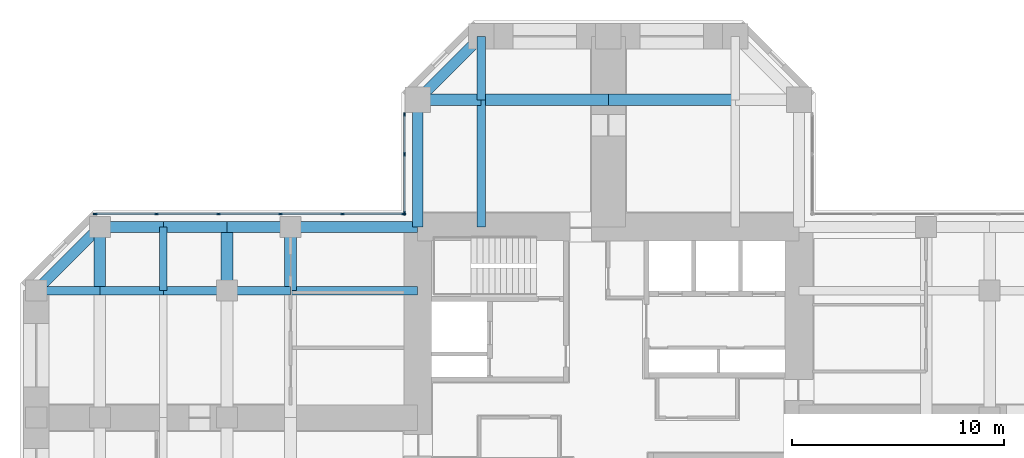
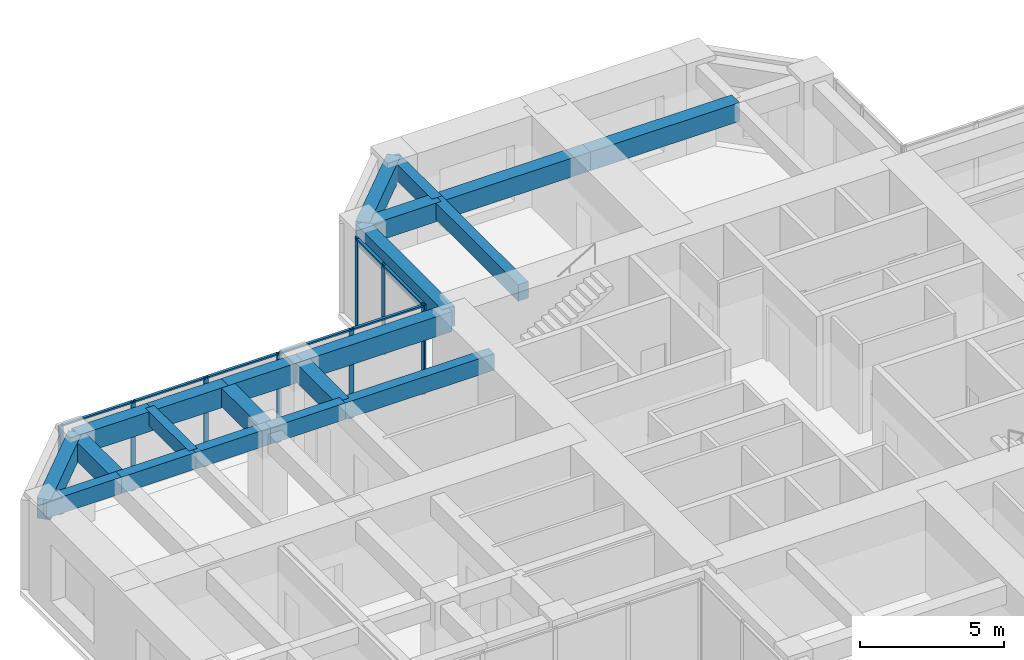
# One storey, part 5 of 12: 21 beams, 16 members, 2 elements without a shape of their own.
"""IFC4 building model written with IfcOpenShell, lengths in metres."""

from ifc_helpers import new_model, si_unit, direction, frame, origin, origin_2d, place, context, subcontext, project, spatial, rectangle, extrude, material, material_profile, profile_set, type_object, element, aggregate, save


model = new_model("IFC4")

# Units and contexts
model_context = context("Model", 3, precision=1e-05, world=origin(), true_north=direction((0.0, 1.0)))
body_context = subcontext(model_context, "Body", "Model", "MODEL_VIEW")
ifc_project = project(units=[si_unit("LENGTHUNIT", "METRE"), si_unit("AREAUNIT", "SQUARE_METRE"), si_unit("VOLUMEUNIT", "CUBIC_METRE"), si_unit("PLANEANGLEUNIT", "RADIAN"), si_unit("MASSUNIT", "GRAM", prefix="KILO")], contexts=[model_context])

# Site, building, storey
site_placement = place(None, origin())
site = spatial("IfcSite", under=ifc_project, at=site_placement, CompositionType="ELEMENT")
building_placement = place(site_placement, origin())
building = spatial("IfcBuilding", under=site, at=building_placement, Name="Torre Cruceta", CompositionType="ELEMENT")
storey_placement = place(building_placement, frame((0.0, 0.0, 112.5)))
storey = spatial("IfcBuildingStorey", under=building, at=storey_placement, Name="L27", CompositionType="ELEMENT", Elevation=112.5)

# Beams
ifc_material_1 = material(Name="Concrete G60 (fck 60 MPa)", Category="concrete")
ifc_material_profile_1 = material_profile(ifc_material_1, rectangle(XDim=0.39990234375, YDim=0.699951171875, at=origin_2d()), Name="RC 400X700")
ifc_profile_set_1 = profile_set([ifc_material_profile_1], Name="Concrete G60 (fck 60 MPa)")
beam_type_1 = type_object("IfcBeamType", Name="COLUMN LINE BEAM RC 400X700", PredefinedType="BEAM", material=ifc_profile_set_1)
beam_1_placement = place(storey_placement, frame((-6.0, 9.0, 3.449951171875), z_axis=(0.0, 1.0, 0.0), x_axis=(-1.0, 0.0, 0.0)))
element("IfcBeam", 1, at=beam_1_placement, inside=storey, type_object=beam_type_1, Name="LB5 L27 N col+ 1", PredefinedType="BEAM", context=body_context, shape_type="SweptSolid", body=[
    extrude(rectangle(XDim=0.39990234375, YDim=0.699951171875, at=origin_2d()), origin(), (0.0, 0.0, 1.0), 6.0),
])
beam_2_placement = place(storey_placement, frame((-6.0, 15.0, 3.449951171875), z_axis=(0.0, 1.0, 0.0), x_axis=(-1.0, 0.0, 0.0)))
element("IfcBeam", 2, at=beam_2_placement, inside=storey, type_object=beam_type_1, Name="LB5 L27 N col+ 2", PredefinedType="BEAM", context=body_context, shape_type="SweptSolid", body=[
    extrude(rectangle(XDim=0.39990234375, YDim=0.699951171875, at=origin_2d()), origin(), (0.0, 0.0, 1.0), 3.0),
])
beam_3_placement = place(storey_placement, frame((-9.0, 6.0, 3.449951171875), z_axis=(-1.0, 0.0, 0.0), x_axis=(0.0, -1.0, 0.0)))
element("IfcBeam", 3, at=beam_3_placement, inside=storey, type_object=beam_type_1, Name="LB5 L27 W col- 1", PredefinedType="BEAM", context=body_context, shape_type="SweptSolid", body=[
    extrude(rectangle(XDim=0.39990234375, YDim=0.699951171875, at=origin_2d()), origin(), (0.0, 0.0, 1.0), 6.0),
])
for number, where, z_axis, x_axis, name in (
    (4, (-15.0, 6.0, 3.449951171875), (-1.0, 0.0, 0.0), (0.0, -1.0, 0.0), "LB5 L27 W col- 2"),
    (5, (-18.0, 6.0, 3.449951171875), (-1.0, 0.0, 0.0), (0.0, -1.0, 0.0), "LB5 L27 W col- 3"),
    (6, (-21.0, 6.0, 3.449951171875), (-1.0, 0.0, 0.0), (0.0, -1.0, 0.0), "LB5 L27 W col- 4"),
    (7, (-24.0, 6.0, 3.449951171875), (-1.0, 0.0, 0.0), (0.0, -1.0, 0.0), "LB5 L27 W col- 5"),
):
    element("IfcBeam", number, at=place(storey_placement, frame(where, z_axis=z_axis, x_axis=x_axis)), inside=storey, type_object=beam_type_1, Name=name, PredefinedType="BEAM", context=body_context, shape_type="SweptSolid", body=[
        extrude(rectangle(XDim=0.39990234375, YDim=0.699951171875, at=origin_2d()), origin(), (0.0, 0.0, 1.0), 3.0),
    ])
ifc_material_2 = material(Name="Concrete G60 (fck 60 MPa)", Category="concrete")
ifc_material_profile_2 = material_profile(ifc_material_2, rectangle(XDim=0.550048828125, YDim=0.800048828125, at=origin_2d()), Name="RC 550X800")
ifc_profile_set_2 = profile_set([ifc_material_profile_2], Name="Concrete G60 (fck 60 MPa)")
beam_type_2 = type_object("IfcBeamType", Name="CROSS BEAM RC 550X800", PredefinedType="BEAM", material=ifc_profile_set_2)
for number, where, z_axis, x_axis, name in (
    (8, (6.0, 15.0, 3.39990234375), (-1.0, 0.0, 0.0), (0.0, -1.0, 0.0), "GB5 L27 N cross15 2"),
    (9, (0.0, 15.0, 3.39990234375), (-1.0, 0.0, 0.0), (0.0, -1.0, 0.0), "GB5 L27 N cross15 3"),
):
    element("IfcBeam", number, at=place(storey_placement, frame(where, z_axis=z_axis, x_axis=x_axis)), inside=storey, type_object=beam_type_2, Name=name, PredefinedType="BEAM", context=body_context, shape_type="SweptSolid", body=[
        extrude(rectangle(XDim=0.550048828125, YDim=0.800048828125, at=origin_2d()), origin(), (0.0, 0.0, 1.0), 6.0),
    ])
for number, where, z_axis, x_axis, name in (
    (10, (-6.0, 15.0, 3.39990234375), (-1.0, 0.0, 0.0), (0.0, -1.0, 0.0), "GB5 L27 N cross15 4"),
    (11, (-15.0, 9.0, 3.39990234375), (0.0, -1.0, 0.0), (1.0, 0.0, 0.0), "GB5 L27 W cross15 1"),
    (12, (-18.0, 9.0, 3.39990234375), (0.0, -1.0, 0.0), (1.0, 0.0, 0.0), "GB5 L27 W cross18 1"),
    (13, (-24.0, 9.0, 3.39990234375), (0.0, -1.0, 0.0), (1.0, 0.0, 0.0), "GB5 L27 W cross24 1"),
):
    element("IfcBeam", number, at=place(storey_placement, frame(where, z_axis=z_axis, x_axis=x_axis)), inside=storey, type_object=beam_type_2, Name=name, PredefinedType="BEAM", context=body_context, shape_type="SweptSolid", body=[
        extrude(rectangle(XDim=0.550048828125, YDim=0.800048828125, at=origin_2d()), origin(), (0.0, 0.0, 1.0), 3.0),
    ])

# Curtain wall, members
ifc_material_3 = material(Name="Aluminium unitised curtain wall", Category="aluminium")
curtain_wall_type = type_object("IfcCurtainWallType", Name="CURTAIN WALL CW-B OFFICE MID RISE", PredefinedType="USERDEFINED", material=ifc_material_3)
curtain_wall_1_placement = place(storey_placement, origin())
curtain_wall_1 = element("IfcCurtainWall", 14, at=curtain_wall_1_placement, inside=storey, type_object=curtain_wall_type, Name="CW-B L27 N side 09", ObjectType="UNITISED", PredefinedType="USERDEFINED")
ifc_material_4 = material(Name="Aluminium mullion", Category="aluminium")
ifc_material_profile_3 = material_profile(ifc_material_4, rectangle(XDim=0.06494140625, YDim=0.179931640625, at=origin_2d()), Name="AL 65X180")
ifc_profile_set_3 = profile_set([ifc_material_profile_3], Name="Aluminium mullion")
member_type_1 = type_object("IfcMemberType", Name="CW-B MULLION 65X180", PredefinedType="MULLION", material=ifc_profile_set_3)
member_1_placement = place(storey_placement, frame((-9.6201171875, 14.30908203125, 0.0), z_axis=(0.0, 0.0, 1.0), x_axis=(1.0, 0.0, 0.0)))
member_1 = element("IfcMember", 15, at=member_1_placement, type_object=member_type_1, Name="CW-B mullion 1", PredefinedType="MULLION", context=body_context, shape_type="SweptSolid", body=[
    extrude(rectangle(XDim=0.06494140625, YDim=0.179931640625, at=origin_2d()), origin(), (0.0, 0.0, 1.0), 3.800048828125),
])
member_2_placement = place(storey_placement, frame((-9.6201171875, 12.4384765625, 0.0), z_axis=(0.0, 0.0, 1.0), x_axis=(1.0, 0.0, 0.0)))
member_2 = element("IfcMember", 16, at=member_2_placement, type_object=member_type_1, Name="CW-B mullion 2", PredefinedType="MULLION", context=body_context, shape_type="SweptSolid", body=[
    extrude(rectangle(XDim=0.06494140625, YDim=0.179931640625, at=origin_2d()), origin(), (0.0, 0.0, 1.0), 3.800048828125),
])
member_3_placement = place(storey_placement, frame((-9.6201171875, 9.652587890625, 0.0), z_axis=(0.0, 0.0, 1.0), x_axis=(1.0, 0.0, 0.0)))
member_3 = element("IfcMember", 17, at=member_3_placement, type_object=member_type_1, Name="CW-B mullion 3", PredefinedType="MULLION", context=body_context, shape_type="SweptSolid", body=[
    extrude(rectangle(XDim=0.06494140625, YDim=0.179931640625, at=origin_2d()), origin(), (0.0, 0.0, 1.0), 3.800048828125),
])

curtain_wall_2_placement = place(storey_placement, origin())
curtain_wall_2 = element("IfcCurtainWall", 18, at=curtain_wall_2_placement, inside=storey, type_object=curtain_wall_type, Name="CW-B L27 W side 10", ObjectType="UNITISED", PredefinedType="USERDEFINED")
member_4_placement = place(storey_placement, frame((-9.652587890625, 9.6201171875, 0.0), z_axis=(0.0, 0.0, 1.0), x_axis=(0.0, -1.0, 0.0)))
member_4 = element("IfcMember", 19, at=member_4_placement, type_object=member_type_1, Name="CW-B mullion 1", PredefinedType="MULLION", context=body_context, shape_type="SweptSolid", body=[
    extrude(rectangle(XDim=0.06494140625, YDim=0.179931640625, at=origin_2d()), origin(), (0.0, 0.0, 1.0), 3.800048828125),
])
member_5_placement = place(storey_placement, frame((-12.54736328125, 9.6201171875, 0.0), z_axis=(0.0, 0.0, 1.0), x_axis=(0.0, -1.0, 0.0)))
member_5 = element("IfcMember", 20, at=member_5_placement, type_object=member_type_1, Name="CW-B mullion 2", PredefinedType="MULLION", context=body_context, shape_type="SweptSolid", body=[
    extrude(rectangle(XDim=0.06494140625, YDim=0.179931640625, at=origin_2d()), origin(), (0.0, 0.0, 1.0), 3.800048828125),
])
member_6_placement = place(storey_placement, frame((-15.474609375, 9.6201171875, 0.0), z_axis=(0.0, 0.0, 1.0), x_axis=(0.0, -1.0, 0.0)))
member_6 = element("IfcMember", 21, at=member_6_placement, type_object=member_type_1, Name="CW-B mullion 3", PredefinedType="MULLION", context=body_context, shape_type="SweptSolid", body=[
    extrude(rectangle(XDim=0.06494140625, YDim=0.179931640625, at=origin_2d()), origin(), (0.0, 0.0, 1.0), 3.800048828125),
])
member_7_placement = place(storey_placement, frame((-18.402099609375, 9.6201171875, 0.0), z_axis=(0.0, 0.0, 1.0), x_axis=(0.0, -1.0, 0.0)))
member_7 = element("IfcMember", 22, at=member_7_placement, type_object=member_type_1, Name="CW-B mullion 4", PredefinedType="MULLION", context=body_context, shape_type="SweptSolid", body=[
    extrude(rectangle(XDim=0.06494140625, YDim=0.179931640625, at=origin_2d()), origin(), (0.0, 0.0, 1.0), 3.800048828125),
])
member_8_placement = place(storey_placement, frame((-21.329345703125, 9.6201171875, 0.0), z_axis=(0.0, 0.0, 1.0), x_axis=(0.0, -1.0, 0.0)))
member_8 = element("IfcMember", 23, at=member_8_placement, type_object=member_type_1, Name="CW-B mullion 5", PredefinedType="MULLION", context=body_context, shape_type="SweptSolid", body=[
    extrude(rectangle(XDim=0.06494140625, YDim=0.179931640625, at=origin_2d()), origin(), (0.0, 0.0, 1.0), 3.800048828125),
])
member_9_placement = place(storey_placement, frame((-24.224365234375, 9.6201171875, 0.0), z_axis=(0.0, 0.0, 1.0), x_axis=(0.0, -1.0, 0.0)))
member_9 = element("IfcMember", 24, at=member_9_placement, type_object=member_type_1, Name="CW-B mullion 6", PredefinedType="MULLION", context=body_context, shape_type="SweptSolid", body=[
    extrude(rectangle(XDim=0.06494140625, YDim=0.179931640625, at=origin_2d()), origin(), (0.0, 0.0, 1.0), 3.800048828125),
])

# Member
ifc_material_5 = material(Name="Aluminium transom", Category="aluminium")
ifc_material_profile_4 = material_profile(ifc_material_5, rectangle(XDim=0.110107421875, YDim=0.06494140625, at=origin_2d()), Name="AL 110X65")
ifc_profile_set_4 = profile_set([ifc_material_profile_4], Name="Aluminium transom")
member_type_2 = type_object("IfcMemberType", Name="CW-B TRANSOM 65X110", PredefinedType="USERDEFINED", material=ifc_profile_set_4)
member_10_placement = place(storey_placement, frame((-9.6201171875, 14.276611328125, 3.767578125), z_axis=(0.0, -1.0, 0.0), x_axis=(1.0, 0.0, 0.0)))
member_10 = element("IfcMember", 25, at=member_10_placement, type_object=member_type_2, Name="CW-B transom 1", ObjectType="TRANSOM", PredefinedType="USERDEFINED", context=body_context, shape_type="SweptSolid", body=[
    extrude(rectangle(XDim=0.110107421875, YDim=0.06494140625, at=origin_2d()), origin(), (0.0, 0.0, 1.0), 1.8056640625),
])

member_11_placement = place(storey_placement, frame((-9.6201171875, 12.406005859375, 3.767578125), z_axis=(0.0, -1.0, 0.0), x_axis=(1.0, 0.0, 0.0)))
member_11 = element("IfcMember", 26, at=member_11_placement, type_object=member_type_2, Name="CW-B transom 2", ObjectType="TRANSOM", PredefinedType="USERDEFINED", context=body_context, shape_type="SweptSolid", body=[
    extrude(rectangle(XDim=0.110107421875, YDim=0.06494140625, at=origin_2d()), origin(), (0.0, 0.0, 1.0), 2.720947265625),
])

aggregate(curtain_wall_1, [member_1, member_2, member_3, member_10, member_11])

member_12_placement = place(storey_placement, frame((-9.68505859375, 9.6201171875, 3.767578125), z_axis=(-1.0, 0.0, 0.0), x_axis=(0.0, -1.0, 0.0)))
member_12 = element("IfcMember", 27, at=member_12_placement, type_object=member_type_2, Name="CW-B transom 1", ObjectType="TRANSOM", PredefinedType="USERDEFINED", context=body_context, shape_type="SweptSolid", body=[
    extrude(rectangle(XDim=0.110107421875, YDim=0.06494140625, at=origin_2d()), origin(), (0.0, 0.0, 1.0), 2.829833984375),
])

member_13_placement = place(storey_placement, frame((-12.579833984375, 9.6201171875, 3.767578125), z_axis=(-1.0, 0.0, 0.0), x_axis=(0.0, -1.0, 0.0)))
member_13 = element("IfcMember", 28, at=member_13_placement, type_object=member_type_2, Name="CW-B transom 2", ObjectType="TRANSOM", PredefinedType="USERDEFINED", context=body_context, shape_type="SweptSolid", body=[
    extrude(rectangle(XDim=0.110107421875, YDim=0.06494140625, at=origin_2d()), origin(), (0.0, 0.0, 1.0), 2.8623046875),
])

member_14_placement = place(storey_placement, frame((-15.50732421875, 9.6201171875, 3.767578125), z_axis=(-1.0, 0.0, 0.0), x_axis=(0.0, -1.0, 0.0)))
member_14 = element("IfcMember", 29, at=member_14_placement, type_object=member_type_2, Name="CW-B transom 3", ObjectType="TRANSOM", PredefinedType="USERDEFINED", context=body_context, shape_type="SweptSolid", body=[
    extrude(rectangle(XDim=0.110107421875, YDim=0.06494140625, at=origin_2d()), origin(), (0.0, 0.0, 1.0), 2.8623046875),
])

member_15_placement = place(storey_placement, frame((-18.4345703125, 9.6201171875, 3.767578125), z_axis=(-1.0, 0.0, 0.0), x_axis=(0.0, -1.0, 0.0)))
member_15 = element("IfcMember", 30, at=member_15_placement, type_object=member_type_2, Name="CW-B transom 4", ObjectType="TRANSOM", PredefinedType="USERDEFINED", context=body_context, shape_type="SweptSolid", body=[
    extrude(rectangle(XDim=0.110107421875, YDim=0.06494140625, at=origin_2d()), origin(), (0.0, 0.0, 1.0), 2.8623046875),
])

member_16_placement = place(storey_placement, frame((-21.362060546875, 9.6201171875, 3.767578125), z_axis=(-1.0, 0.0, 0.0), x_axis=(0.0, -1.0, 0.0)))
member_16 = element("IfcMember", 31, at=member_16_placement, type_object=member_type_2, Name="CW-B transom 5", ObjectType="TRANSOM", PredefinedType="USERDEFINED", context=body_context, shape_type="SweptSolid", body=[
    extrude(rectangle(XDim=0.110107421875, YDim=0.06494140625, at=origin_2d()), origin(), (0.0, 0.0, 1.0), 2.829833984375),
])

aggregate(curtain_wall_2, [member_4, member_5, member_6, member_7, member_8, member_9, member_12, member_13, member_14, member_15, member_16])

# Beams
ifc_material_6 = material(Name="Concrete G60 (fck 60 MPa)", Category="concrete")
ifc_material_profile_5 = material_profile(ifc_material_6, rectangle(XDim=0.35009765625, YDim=0.60009765625, at=origin_2d()), Name="RC 350X600")
ifc_profile_set_5 = profile_set([ifc_material_profile_5], Name="Concrete G60 (fck 60 MPa)")
beam_type_3 = type_object("IfcBeamType", Name="SECONDARY BEAM RC 350X600", PredefinedType="JOIST", material=ifc_profile_set_5)
beam_4_placement = place(storey_placement, frame((-21.0, 9.0, 3.5), z_axis=(0.0, -1.0, 0.0), x_axis=(1.0, 0.0, 0.0)))
element("IfcBeam", 32, at=beam_4_placement, inside=storey, type_object=beam_type_3, Name="JB5 L27 W sec21 1", PredefinedType="JOIST", context=body_context, shape_type="SweptSolid", body=[
    extrude(rectangle(XDim=0.35009765625, YDim=0.60009765625, at=origin_2d()), origin(), (0.0, 0.0, 1.0), 3.0),
])
ifc_material_7 = material(Name="Concrete G60 (fck 60 MPa)", Category="concrete")
ifc_material_profile_6 = material_profile(ifc_material_7, rectangle(XDim=0.5, YDim=0.85009765625, at=origin_2d()), Name="RC 500X850")
ifc_profile_set_6 = profile_set([ifc_material_profile_6], Name="Concrete G60 (fck 60 MPa)")
beam_type_4 = type_object("IfcBeamType", Name="SPANDREL BEAM RC 500X850", PredefinedType="SPANDREL", material=ifc_profile_set_6)
beam_5_placement = place(storey_placement, frame((-9.0, 9.0, 3.375), z_axis=(0.0, 1.0, 0.0), x_axis=(-1.0, 0.0, 0.0)))
element("IfcBeam", 33, at=beam_5_placement, inside=storey, type_object=beam_type_4, Name="SB5 L27 N side+ 1", PredefinedType="SPANDREL", context=body_context, shape_type="SweptSolid", body=[
    extrude(rectangle(XDim=0.5, YDim=0.85009765625, at=origin_2d()), origin(), (0.0, 0.0, 1.0), 6.0),
])
beam_6_placement = place(storey_placement, frame((-9.0, 15.0, 3.375), z_axis=(0.707106781187, 0.707106781187, 0.0), x_axis=(-0.707106781187, 0.707106781187, 0.0)))
element("IfcBeam", 34, at=beam_6_placement, inside=storey, type_object=beam_type_4, Name="SB5 L27 N side+ 2", PredefinedType="SPANDREL", context=body_context, shape_type="SweptSolid", body=[
    extrude(rectangle(XDim=0.5, YDim=0.85009765625, at=origin_2d()), origin(), (0.0, 0.0, 1.0), 4.24267578125),
])
beam_7_placement = place(storey_placement, frame((-9.0, 9.0, 3.375), z_axis=(-1.0, 0.0, 0.0), x_axis=(0.0, -1.0, 0.0)))
element("IfcBeam", 35, at=beam_7_placement, inside=storey, type_object=beam_type_4, Name="SB5 L27 W side- 1", PredefinedType="SPANDREL", context=body_context, shape_type="SweptSolid", body=[
    extrude(rectangle(XDim=0.5, YDim=0.85009765625, at=origin_2d()), origin(), (0.0, 0.0, 1.0), 6.0),
])
for number, where, z_axis, x_axis, name in (
    (36, (-15.0, 9.0, 3.375), (-1.0, 0.0, 0.0), (0.0, -1.0, 0.0), "SB5 L27 W side- 2"),
    (37, (-18.0, 9.0, 3.375), (-1.0, 0.0, 0.0), (0.0, -1.0, 0.0), "SB5 L27 W side- 3"),
    (38, (-21.0, 9.0, 3.375), (-1.0, 0.0, 0.0), (0.0, -1.0, 0.0), "SB5 L27 W side- 4"),
):
    element("IfcBeam", number, at=place(storey_placement, frame(where, z_axis=z_axis, x_axis=x_axis)), inside=storey, type_object=beam_type_4, Name=name, PredefinedType="SPANDREL", context=body_context, shape_type="SweptSolid", body=[
        extrude(rectangle(XDim=0.5, YDim=0.85009765625, at=origin_2d()), origin(), (0.0, 0.0, 1.0), 3.0),
    ])
beam_8_placement = place(storey_placement, frame((-24.0, 9.0, 3.375), z_axis=(-0.707106781187, -0.707106781187, 0.0), x_axis=(0.707106781187, -0.707106781187, 0.0)))
element("IfcBeam", 39, at=beam_8_placement, inside=storey, type_object=beam_type_4, Name="SB5 L27 W side- 5", PredefinedType="SPANDREL", context=body_context, shape_type="SweptSolid", body=[
    extrude(rectangle(XDim=0.5, YDim=0.85009765625, at=origin_2d()), origin(), (0.0, 0.0, 1.0), 4.24267578125),
])

save(model, "model.ifc")
